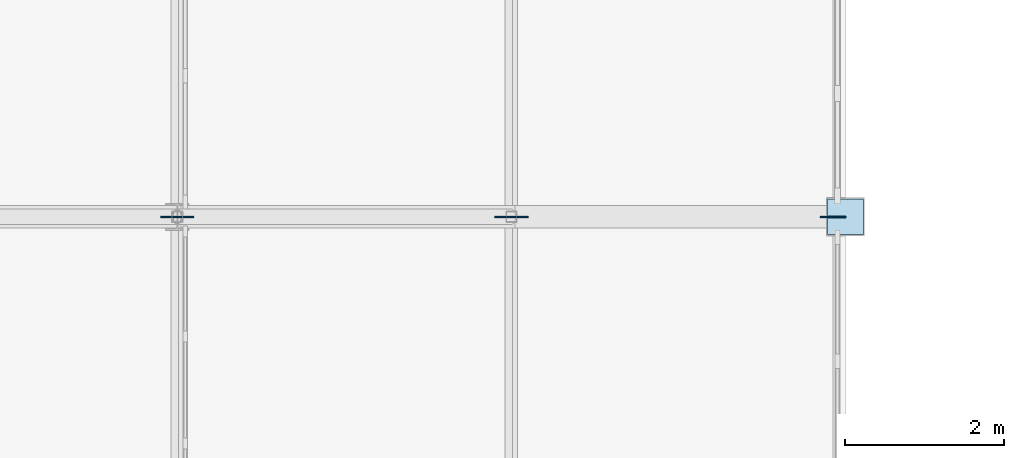
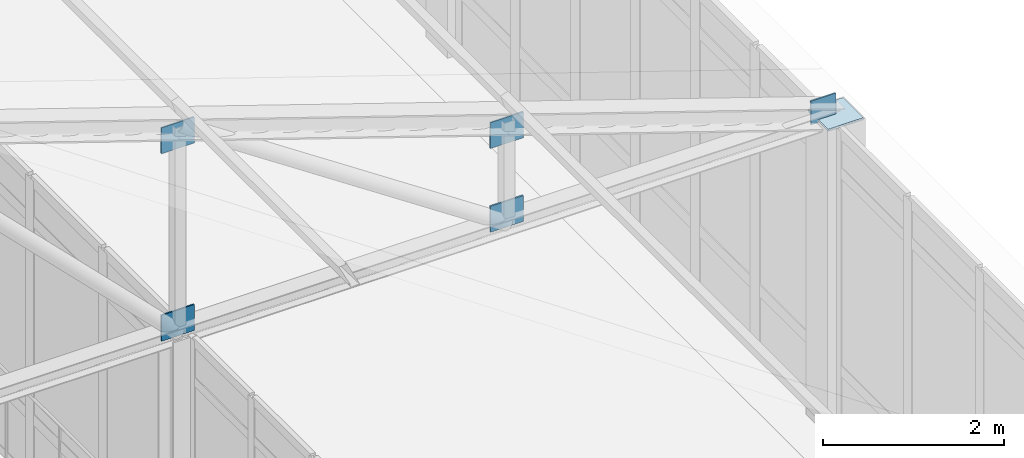
# One storey, part 146 of 192: 6 plates.
"""IFC4 building model written with IfcOpenShell, lengths in metres."""

import ifcopenshell
import ifcopenshell.guid

model = None  # the IFC model being written
_history = None  # IfcOwnerHistory: only IFC2X3 demands one
_inside = {}  # id of a spatial element -> (the spatial element, [elements in it])
_under = {}  # id of a project, library or spatial element -> (it, [spatial elements below it])
_declared = {}  # id of a project -> (the project, [libraries it declares])
_typed = {}  # id of a type object -> (the type object, [elements of that type])
_made_of = {}  # id of a material, layer set ... -> (it, [elements and type objects made of it])


def new_model(schema):
    """Start an empty IFC model of exactly this schema.

    Asked for "IFC4X3", IfcOpenShell would pick the latest addendum, in which some entities
    have other attributes; the version numbers below select the first issue.
    IFC2X3 requires an IfcOwnerHistory on every rooted entity: one is made here for all.
    """
    global model, _history
    if schema == "IFC4X3":
        model = ifcopenshell.file(schema_version=(4, 3, 0, 0))
    else:
        model = ifcopenshell.file(schema=schema)
    _inside.clear()
    _under.clear()
    _declared.clear()
    _typed.clear()
    _made_of.clear()
    _history = None
    if model.schema == "IFC2X3":
        org = make("IfcOrganization", Name="unknown")
        user = make(
            "IfcPersonAndOrganization",
            ThePerson=make("IfcPerson", FamilyName="unknown"),
            TheOrganization=org,
        )
        app = make(
            "IfcApplication",
            ApplicationDeveloper=org,
            Version="unknown",
            ApplicationFullName="unknown",
            ApplicationIdentifier="unknown",
        )
        _history = make(
            "IfcOwnerHistory",
            OwningUser=user,
            OwningApplication=app,
            ChangeAction="ADDED",
            CreationDate=0,
        )
    return model


def make(cls, **values):
    """One entity of the class cls with the attributes given. An attribute that is None is left unset."""
    return model.create_entity(
        cls, **{name: value for name, value in values.items() if value is not None}
    )


def rooted(cls, **values):
    """An entity with a GlobalId (a new one), such as an element, a storey or a relation."""
    return make(cls, GlobalId=ifcopenshell.guid.new(), OwnerHistory=_history, **values)


def si_unit(unit_type, name, prefix=None):
    """IfcSIUnit, for example si_unit("LENGTHUNIT", "METRE", prefix="MILLI")."""
    return make("IfcSIUnit", UnitType=unit_type, Prefix=prefix, Name=name)


def assignment(units):
    """IfcUnitAssignment: the units of a project."""
    return None if units is None else make("IfcUnitAssignment", Units=units)


def point(xyz):
    """IfcCartesianPoint."""
    return None if xyz is None else make("IfcCartesianPoint", Coordinates=xyz)


def direction(xyz):
    """IfcDirection."""
    return None if xyz is None else make("IfcDirection", DirectionRatios=xyz)


def frame(location, z_axis=None, x_axis=None):
    """IfcAxis2Placement3D, a coordinate frame: its origin and axes. An axis left out is left unset."""
    return make(
        "IfcAxis2Placement3D",
        Location=point(location),
        Axis=direction(z_axis),
        RefDirection=direction(x_axis),
    )


def frame_2d(location, x_axis=None):
    """IfcAxis2Placement2D, a coordinate frame in the plane: its origin and x axis."""
    return make(
        "IfcAxis2Placement2D", Location=point(location), RefDirection=direction(x_axis)
    )


def origin():
    """The frame at (0, 0, 0) with its axes left unset."""
    return frame((0.0, 0.0, 0.0))


def origin_2d():
    """The frame at (0, 0) in the plane with its x axis left unset."""
    return frame_2d((0.0, 0.0))


def place(relative_to, where):
    """IfcLocalPlacement: puts the frame where relative to a parent placement (None: the world)."""
    return make(
        "IfcLocalPlacement", PlacementRelTo=relative_to, RelativePlacement=where
    )


def context(
    kind, dimensions, precision=None, world=None, true_north=None, identifier=None
):
    """IfcGeometricRepresentationContext, for example the 3D "Model" context."""
    return make(
        "IfcGeometricRepresentationContext",
        ContextIdentifier=identifier,
        ContextType=kind,
        CoordinateSpaceDimension=dimensions,
        Precision=precision,
        WorldCoordinateSystem=world,
        TrueNorth=true_north,
    )


def subcontext(parent, identifier, kind, view, scale=None):
    """IfcGeometricRepresentationSubContext, for example "Body" below "Model"."""
    return make(
        "IfcGeometricRepresentationSubContext",
        ContextIdentifier=identifier,
        ContextType=kind,
        ParentContext=parent,
        TargetScale=scale,
        TargetView=view,
    )


def project(units=None, contexts=None):
    """IfcProject with its units and contexts."""
    return rooted(
        "IfcProject",
        Name="project",
        RepresentationContexts=contexts,
        UnitsInContext=assignment(units),
    )


def spatial(cls, under=None, at=None, **own):
    """A site, building, storey or space (cls), placed at a placement, below another one or the project."""
    s = rooted(cls, ObjectPlacement=at, **own)
    if under is not None:
        _under.setdefault(under.id(), (under, []))[1].append(s)
    return s


def profile(cls, at=None, kind="AREA", **sizes):
    """A parametric profile (cls). Its sizes go by their IFC names, for example OverallWidth=200.0."""
    return make(cls, ProfileType=kind, Position=at, **sizes)


def rectangle(**sizes):
    """IfcRectangleProfileDef."""
    return profile("IfcRectangleProfileDef", **sizes)


def extrude(swept, where, along, depth):
    """IfcExtrudedAreaSolid: the profile swept, set in the frame where, extruded along a direction by depth."""
    return make(
        "IfcExtrudedAreaSolid",
        SweptArea=swept,
        Position=where,
        ExtrudedDirection=direction(along),
        Depth=depth,
    )


def shape(context_of_items, identifier, shape_type, items):
    """IfcShapeRepresentation: the items that make up one representation, for example the "Body"."""
    return make(
        "IfcShapeRepresentation",
        ContextOfItems=context_of_items,
        RepresentationIdentifier=identifier,
        RepresentationType=shape_type,
        Items=items,
    )


def material(Name=None, Category=None):
    """IfcMaterial."""
    return make("IfcMaterial", Name=Name, Category=Category)


def layer(
    of_material, thickness, ventilated=None, Name=None, Category=None, Priority=None
):
    """IfcMaterialLayer: one layer of a wall or slab, of a material (None: an air gap)."""
    return make(
        "IfcMaterialLayer",
        Material=of_material,
        LayerThickness=thickness,
        IsVentilated=ventilated,
        Name=Name,
        Category=Category,
        Priority=Priority,
    )


def layer_set(layers, Name=None):
    """IfcMaterialLayerSet."""
    return make("IfcMaterialLayerSet", MaterialLayers=layers, LayerSetName=Name)


def made_of(thing, what):
    """Note that an element or type object is made of a material, layer set ...; save() writes the relation."""
    if what is not None:
        _made_of.setdefault(what.id(), (what, []))[1].append(thing)
    return thing


def type_object(cls, material=None, **own):
    """A type object (cls), such as IfcWallType, which elements share."""
    return made_of(rooted(cls, **own), material)


def element(
    cls,
    number,
    at=None,
    inside=None,
    cuts=None,
    type_object=None,
    material=None,
    context=None,
    identifier="Body",
    shape_type=None,
    held_by="IfcProductDefinitionShape",
    body=None,
    shapes=None,
    **own,
):
    """One element of the class cls, such as IfcWall. Its Tag is "e" and its number.

    at: its placement. inside: the storey or other place that contains it. cuts: it is an
    opening in that element (IfcRelVoidsElement). A single representation is given by context,
    identifier, shape_type and body (its items); several are given by shapes. held_by: the class
    of the entity that holds the representations. save() writes the other relations.
    """
    e = rooted(cls, Tag="e%d" % number, ObjectPlacement=at, **own)
    if body is not None:
        shapes = [shape(context, identifier, shape_type, body)]
    if shapes is not None:
        e.Representation = make(held_by, Representations=shapes)
    if inside is not None:
        _inside.setdefault(inside.id(), (inside, []))[1].append(e)
    if cuts is not None:
        rooted(
            "IfcRelVoidsElement", RelatingBuildingElement=cuts, RelatedOpeningElement=e
        )
    if type_object is not None:
        _typed.setdefault(type_object.id(), (type_object, []))[1].append(e)
    return made_of(e, material)


def aggregate(whole, parts):
    """IfcRelAggregates: a whole, such as a stair, and the parts it consists of."""
    return rooted("IfcRelAggregates", RelatingObject=whole, RelatedObjects=parts)


def save(model, path):
    """Write the relations noted so far, then the file.

    IfcRelAggregates (storeys below a building ...), IfcRelContainedInSpatialStructure (elements
    in a storey), IfcRelDefinesByType, IfcRelAssociatesMaterial and IfcRelDeclares: one each for
    every whole, place, type object, material and project.
    """
    for whole, parts in _under.values():
        aggregate(whole, parts)
    for where, things in _inside.values():
        rooted(
            "IfcRelContainedInSpatialStructure",
            RelatedElements=things,
            RelatingStructure=where,
        )
    for kind, things in _typed.values():
        rooted("IfcRelDefinesByType", RelatedObjects=things, RelatingType=kind)
    for what, things in _made_of.values():
        rooted("IfcRelAssociatesMaterial", RelatedObjects=things, RelatingMaterial=what)
    for by, libraries in _declared.values():
        rooted("IfcRelDeclares", RelatingContext=by, RelatedDefinitions=libraries)
    model.write(path)


model = new_model("IFC4")

# Units and contexts
model_context = context("Model", 3, precision=1e-05, world=origin(), true_north=direction((0.0, 1.0)))
body_context = subcontext(model_context, "Body", "Model", "MODEL_VIEW")
ifc_project = project(units=[si_unit("LENGTHUNIT", "METRE"), si_unit("AREAUNIT", "SQUARE_METRE"), si_unit("VOLUMEUNIT", "CUBIC_METRE"), si_unit("PLANEANGLEUNIT", "RADIAN"), si_unit("MASSUNIT", "GRAM", prefix="KILO")], contexts=[model_context])

# Site, building, storey
site_placement = place(None, origin())
site = spatial("IfcSite", under=ifc_project, at=site_placement, CompositionType="ELEMENT")
building_placement = place(site_placement, origin())
building = spatial("IfcBuilding", under=site, at=building_placement, Name="Kveldsbrygga Polytechnic", CompositionType="ELEMENT")
storey_placement = place(building_placement, frame((0.0, 0.0, 5.43994140625)))
storey = spatial("IfcBuildingStorey", under=building, at=storey_placement, Name="L01", CompositionType="ELEMENT", Elevation=5.43994140625)

# Plates
ifc_material = material(Name="Steel S355", Category="steel")
ifc_layer_1 = layer(ifc_material, 0.030029296875)
ifc_layer_set_1 = layer_set([ifc_layer_1], Name="Steel S355")
plate_type_1 = type_object("IfcPlateType", Name="CAP-BEAR-450", PredefinedType="SHEET", material=ifc_layer_set_1)
plate_1_placement = place(storey_placement, frame((75.60009765625, 58.800048828125, 4.08984375), z_axis=(0.0, 0.0, 1.0), x_axis=(1.0, 0.0, 0.0)))
element("IfcPlate", 1, at=plate_1_placement, inside=storey, type_object=plate_type_1, Name="Truss Bearing Plate V5C-T07-B", PredefinedType="SHEET", context=body_context, shape_type="SweptSolid", body=[
    extrude(rectangle(XDim=0.449951171875, YDim=0.449951171875, at=origin_2d()), origin(), (0.0, 0.0, 1.0), 0.030029296875),
])
ifc_layer_2 = layer(ifc_material, 0.01806640625)
ifc_layer_set_2 = layer_set([ifc_layer_2], Name="Steel S355")
plate_type_2 = type_object("IfcPlateType", Name="GUS-BRACE-320", PredefinedType="SHEET", material=ifc_layer_set_2)
plate_2_placement = place(storey_placement, frame((75.43994140625, 58.800048828125, 4.080078125), z_axis=(0.0, 0.0, 1.0), x_axis=(1.0, 0.0, 0.0)))
element("IfcPlate", 2, at=plate_2_placement, inside=storey, type_object=plate_type_2, Name="Truss Eaves Node Gusset V5C-T07-EGP-B", PredefinedType="SHEET", context=body_context, shape_type="SweptSolid", body=[
    extrude(rectangle(XDim=0.320068359375, YDim=0.01806640625, at=origin_2d()), origin(), (0.0, 0.0, 1.0), 0.320068359375),
])
ifc_layer_3 = layer(ifc_material, 0.02001953125)
ifc_layer_set_3 = layer_set([ifc_layer_3], Name="Steel S355")
plate_type_3 = type_object("IfcPlateType", Name="GUS-LECT-420", PredefinedType="SHEET", material=ifc_layer_set_3)
for number, where, z_axis, x_axis, name in (
    (3, (67.199951171875, 58.800048828125, 6.594970703125), (0.0, 0.0, 1.0), (1.0, 0.0, 0.0), "Truss Gusset Plate V5C-T07-GP-4"),
    (4, (67.199951171875, 58.800048828125, 4.06494140625), (0.0, 0.0, 1.0), (1.0, 0.0, 0.0), "Truss Bottom-Chord Node Gusset V5C-T07-BGP-4"),
    (5, (71.39990234375, 58.800048828125, 5.195068359375), (0.0, 0.0, 1.0), (1.0, 0.0, 0.0), "Truss Gusset Plate V5C-T07-GP-5"),
    (6, (71.39990234375, 58.800048828125, 4.06494140625), (0.0, 0.0, 1.0), (1.0, 0.0, 0.0), "Truss Bottom-Chord Node Gusset V5C-T07-BGP-5"),
):
    element("IfcPlate", number, at=place(storey_placement, frame(where, z_axis=z_axis, x_axis=x_axis)), inside=storey, type_object=plate_type_3, Name=name, PredefinedType="SHEET", context=body_context, shape_type="SweptSolid", body=[
        extrude(rectangle(XDim=0.419921875, YDim=0.02001953125, at=origin_2d()), origin(), (0.0, 0.0, 1.0), 0.35009765625),
    ])

save(model, "model.ifc")
